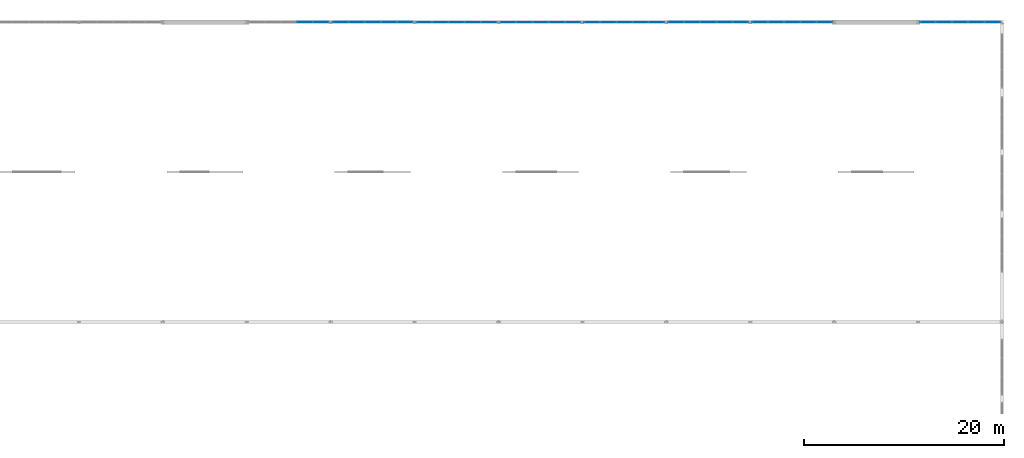
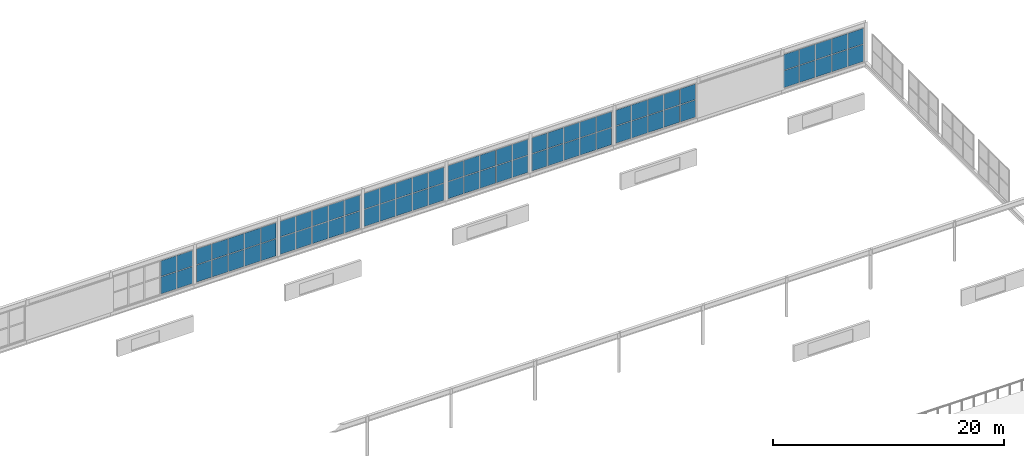
# One storey, part 193 of 218: 74 plates, 8 elements without a shape of their own.
"""IFC4 building model written with IfcOpenShell, lengths in metres."""

import ifcopenshell
import ifcopenshell.guid

model = None  # the IFC model being written
_history = None  # IfcOwnerHistory: only IFC2X3 demands one
_inside = {}  # id of a spatial element -> (the spatial element, [elements in it])
_under = {}  # id of a project, library or spatial element -> (it, [spatial elements below it])
_declared = {}  # id of a project -> (the project, [libraries it declares])
_typed = {}  # id of a type object -> (the type object, [elements of that type])
_made_of = {}  # id of a material, layer set ... -> (it, [elements and type objects made of it])


def new_model(schema):
    """Start an empty IFC model of exactly this schema.

    Asked for "IFC4X3", IfcOpenShell would pick the latest addendum, in which some entities
    have other attributes; the version numbers below select the first issue.
    IFC2X3 requires an IfcOwnerHistory on every rooted entity: one is made here for all.
    """
    global model, _history
    if schema == "IFC4X3":
        model = ifcopenshell.file(schema_version=(4, 3, 0, 0))
    else:
        model = ifcopenshell.file(schema=schema)
    _inside.clear()
    _under.clear()
    _declared.clear()
    _typed.clear()
    _made_of.clear()
    _history = None
    if model.schema == "IFC2X3":
        org = make("IfcOrganization", Name="unknown")
        user = make(
            "IfcPersonAndOrganization",
            ThePerson=make("IfcPerson", FamilyName="unknown"),
            TheOrganization=org,
        )
        app = make(
            "IfcApplication",
            ApplicationDeveloper=org,
            Version="unknown",
            ApplicationFullName="unknown",
            ApplicationIdentifier="unknown",
        )
        _history = make(
            "IfcOwnerHistory",
            OwningUser=user,
            OwningApplication=app,
            ChangeAction="ADDED",
            CreationDate=0,
        )
    return model


def make(cls, **values):
    """One entity of the class cls with the attributes given. An attribute that is None is left unset."""
    return model.create_entity(
        cls, **{name: value for name, value in values.items() if value is not None}
    )


def rooted(cls, **values):
    """An entity with a GlobalId (a new one), such as an element, a storey or a relation."""
    return make(cls, GlobalId=ifcopenshell.guid.new(), OwnerHistory=_history, **values)


def si_unit(unit_type, name, prefix=None):
    """IfcSIUnit, for example si_unit("LENGTHUNIT", "METRE", prefix="MILLI")."""
    return make("IfcSIUnit", UnitType=unit_type, Prefix=prefix, Name=name)


def assignment(units):
    """IfcUnitAssignment: the units of a project."""
    return None if units is None else make("IfcUnitAssignment", Units=units)


def point(xyz):
    """IfcCartesianPoint."""
    return None if xyz is None else make("IfcCartesianPoint", Coordinates=xyz)


def direction(xyz):
    """IfcDirection."""
    return None if xyz is None else make("IfcDirection", DirectionRatios=xyz)


def frame(location, z_axis=None, x_axis=None):
    """IfcAxis2Placement3D, a coordinate frame: its origin and axes. An axis left out is left unset."""
    return make(
        "IfcAxis2Placement3D",
        Location=point(location),
        Axis=direction(z_axis),
        RefDirection=direction(x_axis),
    )


def frame_2d(location, x_axis=None):
    """IfcAxis2Placement2D, a coordinate frame in the plane: its origin and x axis."""
    return make(
        "IfcAxis2Placement2D", Location=point(location), RefDirection=direction(x_axis)
    )


def origin():
    """The frame at (0, 0, 0) with its axes left unset."""
    return frame((0.0, 0.0, 0.0))


def origin_2d():
    """The frame at (0, 0) in the plane with its x axis left unset."""
    return frame_2d((0.0, 0.0))


def place(relative_to, where):
    """IfcLocalPlacement: puts the frame where relative to a parent placement (None: the world)."""
    return make(
        "IfcLocalPlacement", PlacementRelTo=relative_to, RelativePlacement=where
    )


def context(
    kind, dimensions, precision=None, world=None, true_north=None, identifier=None
):
    """IfcGeometricRepresentationContext, for example the 3D "Model" context."""
    return make(
        "IfcGeometricRepresentationContext",
        ContextIdentifier=identifier,
        ContextType=kind,
        CoordinateSpaceDimension=dimensions,
        Precision=precision,
        WorldCoordinateSystem=world,
        TrueNorth=true_north,
    )


def subcontext(parent, identifier, kind, view, scale=None):
    """IfcGeometricRepresentationSubContext, for example "Body" below "Model"."""
    return make(
        "IfcGeometricRepresentationSubContext",
        ContextIdentifier=identifier,
        ContextType=kind,
        ParentContext=parent,
        TargetScale=scale,
        TargetView=view,
    )


def project(units=None, contexts=None):
    """IfcProject with its units and contexts."""
    return rooted(
        "IfcProject",
        Name="project",
        RepresentationContexts=contexts,
        UnitsInContext=assignment(units),
    )


def spatial(cls, under=None, at=None, **own):
    """A site, building, storey or space (cls), placed at a placement, below another one or the project."""
    s = rooted(cls, ObjectPlacement=at, **own)
    if under is not None:
        _under.setdefault(under.id(), (under, []))[1].append(s)
    return s


def profile(cls, at=None, kind="AREA", **sizes):
    """A parametric profile (cls). Its sizes go by their IFC names, for example OverallWidth=200.0."""
    return make(cls, ProfileType=kind, Position=at, **sizes)


def rectangle(**sizes):
    """IfcRectangleProfileDef."""
    return profile("IfcRectangleProfileDef", **sizes)


def extrude(swept, where, along, depth):
    """IfcExtrudedAreaSolid: the profile swept, set in the frame where, extruded along a direction by depth."""
    return make(
        "IfcExtrudedAreaSolid",
        SweptArea=swept,
        Position=where,
        ExtrudedDirection=direction(along),
        Depth=depth,
    )


def shape(context_of_items, identifier, shape_type, items):
    """IfcShapeRepresentation: the items that make up one representation, for example the "Body"."""
    return make(
        "IfcShapeRepresentation",
        ContextOfItems=context_of_items,
        RepresentationIdentifier=identifier,
        RepresentationType=shape_type,
        Items=items,
    )


def material(Name=None, Category=None):
    """IfcMaterial."""
    return make("IfcMaterial", Name=Name, Category=Category)


def layer(
    of_material, thickness, ventilated=None, Name=None, Category=None, Priority=None
):
    """IfcMaterialLayer: one layer of a wall or slab, of a material (None: an air gap)."""
    return make(
        "IfcMaterialLayer",
        Material=of_material,
        LayerThickness=thickness,
        IsVentilated=ventilated,
        Name=Name,
        Category=Category,
        Priority=Priority,
    )


def layer_set(layers, Name=None):
    """IfcMaterialLayerSet."""
    return make("IfcMaterialLayerSet", MaterialLayers=layers, LayerSetName=Name)


def made_of(thing, what):
    """Note that an element or type object is made of a material, layer set ...; save() writes the relation."""
    if what is not None:
        _made_of.setdefault(what.id(), (what, []))[1].append(thing)
    return thing


def type_object(cls, material=None, **own):
    """A type object (cls), such as IfcWallType, which elements share."""
    return made_of(rooted(cls, **own), material)


def element(
    cls,
    number,
    at=None,
    inside=None,
    cuts=None,
    type_object=None,
    material=None,
    context=None,
    identifier="Body",
    shape_type=None,
    held_by="IfcProductDefinitionShape",
    body=None,
    shapes=None,
    **own,
):
    """One element of the class cls, such as IfcWall. Its Tag is "e" and its number.

    at: its placement. inside: the storey or other place that contains it. cuts: it is an
    opening in that element (IfcRelVoidsElement). A single representation is given by context,
    identifier, shape_type and body (its items); several are given by shapes. held_by: the class
    of the entity that holds the representations. save() writes the other relations.
    """
    e = rooted(cls, Tag="e%d" % number, ObjectPlacement=at, **own)
    if body is not None:
        shapes = [shape(context, identifier, shape_type, body)]
    if shapes is not None:
        e.Representation = make(held_by, Representations=shapes)
    if inside is not None:
        _inside.setdefault(inside.id(), (inside, []))[1].append(e)
    if cuts is not None:
        rooted(
            "IfcRelVoidsElement", RelatingBuildingElement=cuts, RelatedOpeningElement=e
        )
    if type_object is not None:
        _typed.setdefault(type_object.id(), (type_object, []))[1].append(e)
    return made_of(e, material)


def aggregate(whole, parts):
    """IfcRelAggregates: a whole, such as a stair, and the parts it consists of."""
    return rooted("IfcRelAggregates", RelatingObject=whole, RelatedObjects=parts)


def save(model, path):
    """Write the relations noted so far, then the file.

    IfcRelAggregates (storeys below a building ...), IfcRelContainedInSpatialStructure (elements
    in a storey), IfcRelDefinesByType, IfcRelAssociatesMaterial and IfcRelDeclares: one each for
    every whole, place, type object, material and project.
    """
    for whole, parts in _under.values():
        aggregate(whole, parts)
    for where, things in _inside.values():
        rooted(
            "IfcRelContainedInSpatialStructure",
            RelatedElements=things,
            RelatingStructure=where,
        )
    for kind, things in _typed.values():
        rooted("IfcRelDefinesByType", RelatedObjects=things, RelatingType=kind)
    for what, things in _made_of.values():
        rooted("IfcRelAssociatesMaterial", RelatedObjects=things, RelatingMaterial=what)
    for by, libraries in _declared.values():
        rooted("IfcRelDeclares", RelatingContext=by, RelatedDefinitions=libraries)
    model.write(path)


model = new_model("IFC4")

# Units and contexts
model_context = context("Model", 3, precision=1e-05, world=origin(), true_north=direction((0.0, 1.0)))
body_context = subcontext(model_context, "Body", "Model", "MODEL_VIEW")
ifc_project = project(units=[si_unit("LENGTHUNIT", "METRE"), si_unit("AREAUNIT", "SQUARE_METRE"), si_unit("VOLUMEUNIT", "CUBIC_METRE"), si_unit("PLANEANGLEUNIT", "RADIAN"), si_unit("MASSUNIT", "GRAM", prefix="KILO")], contexts=[model_context])

# Site, building, storey
site_placement = place(None, origin())
site = spatial("IfcSite", under=ifc_project, at=site_placement, CompositionType="ELEMENT")
building_placement = place(site_placement, origin())
building = spatial("IfcBuilding", under=site, at=building_placement, Name="Kazenagashi Tramway Depot", CompositionType="ELEMENT")
storey_placement = place(building_placement, frame((0.0, 0.0, 6.0)))
storey = spatial("IfcBuildingStorey", under=building, at=storey_placement, Name="L02", CompositionType="ELEMENT", Elevation=6.0)

# Curtain wall, plates
ifc_material_1 = material(Name="Anodised Aluminium and Low-E Glazing", Category="aluminium")
curtain_wall_type = type_object("IfcCurtainWallType", Name="CW-15", PredefinedType="USERDEFINED", material=ifc_material_1)
curtain_wall_1_placement = place(storey_placement, origin())
curtain_wall_1 = element("IfcCurtainWall", 1, at=curtain_wall_1_placement, inside=storey, type_object=curtain_wall_type, Name="Industrial Glazed Screen CW-15 CW-0081", ObjectType="GLAZED SCREEN", PredefinedType="USERDEFINED")
ifc_material_2 = material(Name="Tempered Laminated Low-E Glass", Category="glass")
ifc_layer_1 = layer(ifc_material_2, 0.016)
ifc_layer_set_1 = layer_set([ifc_layer_1], Name="Tempered Laminated Low-E Glass")
plate_type_1 = type_object("IfcPlateType", Name="GL-01", PredefinedType="CURTAIN_PANEL", material=ifc_layer_set_1)
plate_1_placement = place(storey_placement, frame((138.167, 130.0, 0.04), z_axis=(0.0, 0.0, 1.0), x_axis=(1.0, 0.0, 0.0)))
plate_1 = element("IfcPlate", 2, at=plate_1_placement, type_object=plate_type_1, Name="CW-15 panel 1.1", PredefinedType="CURTAIN_PANEL", context=body_context, shape_type="SweptSolid", body=[
    extrude(rectangle(XDim=1.534, YDim=0.016, at=origin_2d()), origin(), (0.0, 0.0, 1.0), 1.799),
])
plate_2_placement = place(storey_placement, frame((138.167, 130.0, 1.899), z_axis=(0.0, 0.0, 1.0), x_axis=(1.0, 0.0, 0.0)))
plate_2 = element("IfcPlate", 3, at=plate_2_placement, type_object=plate_type_1, Name="CW-15 panel 1.2", PredefinedType="CURTAIN_PANEL", context=body_context, shape_type="SweptSolid", body=[
    extrude(rectangle(XDim=1.534, YDim=0.016, at=origin_2d()), origin(), (0.0, 0.0, 1.0), 1.653),
])
plate_3_placement = place(storey_placement, frame((139.776, 130.0, 0.04), z_axis=(0.0, 0.0, 1.0), x_axis=(1.0, 0.0, 0.0)))
plate_3 = element("IfcPlate", 4, at=plate_3_placement, type_object=plate_type_1, Name="CW-15 panel 2.1", PredefinedType="CURTAIN_PANEL", context=body_context, shape_type="SweptSolid", body=[
    extrude(rectangle(XDim=1.564, YDim=0.016, at=origin_2d()), origin(), (0.0, 0.0, 1.0), 1.799),
])
plate_4_placement = place(storey_placement, frame((139.776, 130.0, 1.899), z_axis=(0.0, 0.0, 1.0), x_axis=(1.0, 0.0, 0.0)))
plate_4 = element("IfcPlate", 5, at=plate_4_placement, type_object=plate_type_1, Name="CW-15 panel 2.2", PredefinedType="CURTAIN_PANEL", context=body_context, shape_type="SweptSolid", body=[
    extrude(rectangle(XDim=1.564, YDim=0.016, at=origin_2d()), origin(), (0.0, 0.0, 1.0), 1.653),
])
plate_5_placement = place(storey_placement, frame((141.4, 130.0, 0.04), z_axis=(0.0, 0.0, 1.0), x_axis=(1.0, 0.0, 0.0)))
plate_5 = element("IfcPlate", 6, at=plate_5_placement, type_object=plate_type_1, Name="CW-15 panel 3.1", PredefinedType="CURTAIN_PANEL", context=body_context, shape_type="SweptSolid", body=[
    extrude(rectangle(XDim=1.564, YDim=0.016, at=origin_2d()), origin(), (0.0, 0.0, 1.0), 1.799),
])
plate_6_placement = place(storey_placement, frame((141.4, 130.0, 1.899), z_axis=(0.0, 0.0, 1.0), x_axis=(1.0, 0.0, 0.0)))
plate_6 = element("IfcPlate", 7, at=plate_6_placement, type_object=plate_type_1, Name="CW-15 panel 3.2", PredefinedType="CURTAIN_PANEL", context=body_context, shape_type="SweptSolid", body=[
    extrude(rectangle(XDim=1.564, YDim=0.016, at=origin_2d()), origin(), (0.0, 0.0, 1.0), 1.653),
])
plate_7_placement = place(storey_placement, frame((143.024, 130.0, 0.04), z_axis=(0.0, 0.0, 1.0), x_axis=(1.0, 0.0, 0.0)))
plate_7 = element("IfcPlate", 8, at=plate_7_placement, type_object=plate_type_1, Name="CW-15 panel 4.1", PredefinedType="CURTAIN_PANEL", context=body_context, shape_type="SweptSolid", body=[
    extrude(rectangle(XDim=1.564, YDim=0.016, at=origin_2d()), origin(), (0.0, 0.0, 1.0), 1.799),
])
plate_8_placement = place(storey_placement, frame((143.024, 130.0, 1.899), z_axis=(0.0, 0.0, 1.0), x_axis=(1.0, 0.0, 0.0)))
plate_8 = element("IfcPlate", 9, at=plate_8_placement, type_object=plate_type_1, Name="CW-15 panel 4.2", PredefinedType="CURTAIN_PANEL", context=body_context, shape_type="SweptSolid", body=[
    extrude(rectangle(XDim=1.564, YDim=0.016, at=origin_2d()), origin(), (0.0, 0.0, 1.0), 1.653),
])
plate_9_placement = place(storey_placement, frame((144.633, 130.0, 0.04), z_axis=(0.0, 0.0, 1.0), x_axis=(1.0, 0.0, 0.0)))
plate_9 = element("IfcPlate", 10, at=plate_9_placement, type_object=plate_type_1, Name="CW-15 panel 5.1", PredefinedType="CURTAIN_PANEL", context=body_context, shape_type="SweptSolid", body=[
    extrude(rectangle(XDim=1.534, YDim=0.016, at=origin_2d()), origin(), (0.0, 0.0, 1.0), 1.799),
])
plate_10_placement = place(storey_placement, frame((144.633, 130.0, 1.899), z_axis=(0.0, 0.0, 1.0), x_axis=(1.0, 0.0, 0.0)))
plate_10 = element("IfcPlate", 11, at=plate_10_placement, type_object=plate_type_1, Name="CW-15 panel 5.2", PredefinedType="CURTAIN_PANEL", context=body_context, shape_type="SweptSolid", body=[
    extrude(rectangle(XDim=1.534, YDim=0.016, at=origin_2d()), origin(), (0.0, 0.0, 1.0), 1.653),
])
aggregate(curtain_wall_1, [plate_1, plate_2, plate_3, plate_4, plate_5, plate_6, plate_7, plate_8, plate_9, plate_10])

curtain_wall_2_placement = place(storey_placement, origin())
curtain_wall_2 = element("IfcCurtainWall", 12, at=curtain_wall_2_placement, inside=storey, type_object=curtain_wall_type, Name="Industrial Glazed Screen CW-15 CW-0084", ObjectType="GLAZED SCREEN", PredefinedType="USERDEFINED")
ifc_layer_2 = layer(ifc_material_2, 0.022)
ifc_layer_set_2 = layer_set([ifc_layer_2], Name="Tempered Laminated Low-E Glass")
plate_type_2 = type_object("IfcPlateType", Name="GL-04", PredefinedType="CURTAIN_PANEL", material=ifc_layer_set_2)
plate_11_placement = place(storey_placement, frame((146.567, 130.0, 0.04), z_axis=(0.0, 0.0, 1.0), x_axis=(1.0, 0.0, 0.0)))
plate_11 = element("IfcPlate", 13, at=plate_11_placement, type_object=plate_type_2, Name="CW-15 panel 1.1", PredefinedType="CURTAIN_PANEL", context=body_context, shape_type="SweptSolid", body=[
    extrude(rectangle(XDim=1.534, YDim=0.022, at=origin_2d()), origin(), (0.0, 0.0, 1.0), 1.799),
])
plate_12_placement = place(storey_placement, frame((146.567, 130.0, 1.899), z_axis=(0.0, 0.0, 1.0), x_axis=(1.0, 0.0, 0.0)))
plate_12 = element("IfcPlate", 14, at=plate_12_placement, type_object=plate_type_2, Name="CW-15 panel 1.2", PredefinedType="CURTAIN_PANEL", context=body_context, shape_type="SweptSolid", body=[
    extrude(rectangle(XDim=1.534, YDim=0.022, at=origin_2d()), origin(), (0.0, 0.0, 1.0), 1.653),
])
plate_13_placement = place(storey_placement, frame((148.176, 130.0, 0.04), z_axis=(0.0, 0.0, 1.0), x_axis=(1.0, 0.0, 0.0)))
plate_13 = element("IfcPlate", 15, at=plate_13_placement, type_object=plate_type_2, Name="CW-15 panel 2.1", PredefinedType="CURTAIN_PANEL", context=body_context, shape_type="SweptSolid", body=[
    extrude(rectangle(XDim=1.564, YDim=0.022, at=origin_2d()), origin(), (0.0, 0.0, 1.0), 1.799),
])
plate_14_placement = place(storey_placement, frame((148.176, 130.0, 1.899), z_axis=(0.0, 0.0, 1.0), x_axis=(1.0, 0.0, 0.0)))
plate_14 = element("IfcPlate", 16, at=plate_14_placement, type_object=plate_type_2, Name="CW-15 panel 2.2", PredefinedType="CURTAIN_PANEL", context=body_context, shape_type="SweptSolid", body=[
    extrude(rectangle(XDim=1.564, YDim=0.022, at=origin_2d()), origin(), (0.0, 0.0, 1.0), 1.653),
])
plate_15_placement = place(storey_placement, frame((149.8, 130.0, 0.04), z_axis=(0.0, 0.0, 1.0), x_axis=(1.0, 0.0, 0.0)))
plate_15 = element("IfcPlate", 17, at=plate_15_placement, type_object=plate_type_2, Name="CW-15 panel 3.1", PredefinedType="CURTAIN_PANEL", context=body_context, shape_type="SweptSolid", body=[
    extrude(rectangle(XDim=1.564, YDim=0.022, at=origin_2d()), origin(), (0.0, 0.0, 1.0), 1.799),
])
plate_16_placement = place(storey_placement, frame((149.8, 130.0, 1.899), z_axis=(0.0, 0.0, 1.0), x_axis=(1.0, 0.0, 0.0)))
plate_16 = element("IfcPlate", 18, at=plate_16_placement, type_object=plate_type_2, Name="CW-15 panel 3.2", PredefinedType="CURTAIN_PANEL", context=body_context, shape_type="SweptSolid", body=[
    extrude(rectangle(XDim=1.564, YDim=0.022, at=origin_2d()), origin(), (0.0, 0.0, 1.0), 1.653),
])
plate_17_placement = place(storey_placement, frame((151.424, 130.0, 0.04), z_axis=(0.0, 0.0, 1.0), x_axis=(1.0, 0.0, 0.0)))
plate_17 = element("IfcPlate", 19, at=plate_17_placement, type_object=plate_type_2, Name="CW-15 panel 4.1", PredefinedType="CURTAIN_PANEL", context=body_context, shape_type="SweptSolid", body=[
    extrude(rectangle(XDim=1.564, YDim=0.022, at=origin_2d()), origin(), (0.0, 0.0, 1.0), 1.799),
])
plate_18_placement = place(storey_placement, frame((151.424, 130.0, 1.899), z_axis=(0.0, 0.0, 1.0), x_axis=(1.0, 0.0, 0.0)))
plate_18 = element("IfcPlate", 20, at=plate_18_placement, type_object=plate_type_2, Name="CW-15 panel 4.2", PredefinedType="CURTAIN_PANEL", context=body_context, shape_type="SweptSolid", body=[
    extrude(rectangle(XDim=1.564, YDim=0.022, at=origin_2d()), origin(), (0.0, 0.0, 1.0), 1.653),
])
plate_19_placement = place(storey_placement, frame((153.033, 130.0, 0.04), z_axis=(0.0, 0.0, 1.0), x_axis=(1.0, 0.0, 0.0)))
plate_19 = element("IfcPlate", 21, at=plate_19_placement, type_object=plate_type_2, Name="CW-15 panel 5.1", PredefinedType="CURTAIN_PANEL", context=body_context, shape_type="SweptSolid", body=[
    extrude(rectangle(XDim=1.534, YDim=0.022, at=origin_2d()), origin(), (0.0, 0.0, 1.0), 1.799),
])
plate_20_placement = place(storey_placement, frame((153.033, 130.0, 1.899), z_axis=(0.0, 0.0, 1.0), x_axis=(1.0, 0.0, 0.0)))
plate_20 = element("IfcPlate", 22, at=plate_20_placement, type_object=plate_type_2, Name="CW-15 panel 5.2", PredefinedType="CURTAIN_PANEL", context=body_context, shape_type="SweptSolid", body=[
    extrude(rectangle(XDim=1.534, YDim=0.022, at=origin_2d()), origin(), (0.0, 0.0, 1.0), 1.653),
])
aggregate(curtain_wall_2, [plate_11, plate_12, plate_13, plate_14, plate_15, plate_16, plate_17, plate_18, plate_19, plate_20])

curtain_wall_3_placement = place(storey_placement, origin())
curtain_wall_3 = element("IfcCurtainWall", 23, at=curtain_wall_3_placement, inside=storey, type_object=curtain_wall_type, Name="Industrial Glazed Screen CW-15 CW-0087", ObjectType="GLAZED SCREEN", PredefinedType="USERDEFINED")
ifc_layer_3 = layer(ifc_material_2, 0.028)
ifc_layer_set_3 = layer_set([ifc_layer_3], Name="Tempered Laminated Low-E Glass")
plate_type_3 = type_object("IfcPlateType", Name="GL-07", PredefinedType="CURTAIN_PANEL", material=ifc_layer_set_3)
plate_21_placement = place(storey_placement, frame((154.967, 130.0, 0.04), z_axis=(0.0, 0.0, 1.0), x_axis=(1.0, 0.0, 0.0)))
plate_21 = element("IfcPlate", 24, at=plate_21_placement, type_object=plate_type_3, Name="CW-15 panel 1.1", PredefinedType="CURTAIN_PANEL", context=body_context, shape_type="SweptSolid", body=[
    extrude(rectangle(XDim=1.534, YDim=0.028, at=origin_2d()), origin(), (0.0, 0.0, 1.0), 1.799),
])
plate_22_placement = place(storey_placement, frame((154.967, 130.0, 1.899), z_axis=(0.0, 0.0, 1.0), x_axis=(1.0, 0.0, 0.0)))
plate_22 = element("IfcPlate", 25, at=plate_22_placement, type_object=plate_type_3, Name="CW-15 panel 1.2", PredefinedType="CURTAIN_PANEL", context=body_context, shape_type="SweptSolid", body=[
    extrude(rectangle(XDim=1.534, YDim=0.028, at=origin_2d()), origin(), (0.0, 0.0, 1.0), 1.653),
])
plate_23_placement = place(storey_placement, frame((156.576, 130.0, 0.04), z_axis=(0.0, 0.0, 1.0), x_axis=(1.0, 0.0, 0.0)))
plate_23 = element("IfcPlate", 26, at=plate_23_placement, type_object=plate_type_3, Name="CW-15 panel 2.1", PredefinedType="CURTAIN_PANEL", context=body_context, shape_type="SweptSolid", body=[
    extrude(rectangle(XDim=1.564, YDim=0.028, at=origin_2d()), origin(), (0.0, 0.0, 1.0), 1.799),
])
plate_24_placement = place(storey_placement, frame((156.576, 130.0, 1.899), z_axis=(0.0, 0.0, 1.0), x_axis=(1.0, 0.0, 0.0)))
plate_24 = element("IfcPlate", 27, at=plate_24_placement, type_object=plate_type_3, Name="CW-15 panel 2.2", PredefinedType="CURTAIN_PANEL", context=body_context, shape_type="SweptSolid", body=[
    extrude(rectangle(XDim=1.564, YDim=0.028, at=origin_2d()), origin(), (0.0, 0.0, 1.0), 1.653),
])
plate_25_placement = place(storey_placement, frame((158.2, 130.0, 0.04), z_axis=(0.0, 0.0, 1.0), x_axis=(1.0, 0.0, 0.0)))
plate_25 = element("IfcPlate", 28, at=plate_25_placement, type_object=plate_type_3, Name="CW-15 panel 3.1", PredefinedType="CURTAIN_PANEL", context=body_context, shape_type="SweptSolid", body=[
    extrude(rectangle(XDim=1.564, YDim=0.028, at=origin_2d()), origin(), (0.0, 0.0, 1.0), 1.799),
])
plate_26_placement = place(storey_placement, frame((158.2, 130.0, 1.899), z_axis=(0.0, 0.0, 1.0), x_axis=(1.0, 0.0, 0.0)))
plate_26 = element("IfcPlate", 29, at=plate_26_placement, type_object=plate_type_3, Name="CW-15 panel 3.2", PredefinedType="CURTAIN_PANEL", context=body_context, shape_type="SweptSolid", body=[
    extrude(rectangle(XDim=1.564, YDim=0.028, at=origin_2d()), origin(), (0.0, 0.0, 1.0), 1.653),
])
plate_27_placement = place(storey_placement, frame((159.824, 130.0, 0.04), z_axis=(0.0, 0.0, 1.0), x_axis=(1.0, 0.0, 0.0)))
plate_27 = element("IfcPlate", 30, at=plate_27_placement, type_object=plate_type_3, Name="CW-15 panel 4.1", PredefinedType="CURTAIN_PANEL", context=body_context, shape_type="SweptSolid", body=[
    extrude(rectangle(XDim=1.564, YDim=0.028, at=origin_2d()), origin(), (0.0, 0.0, 1.0), 1.799),
])
plate_28_placement = place(storey_placement, frame((159.824, 130.0, 1.899), z_axis=(0.0, 0.0, 1.0), x_axis=(1.0, 0.0, 0.0)))
plate_28 = element("IfcPlate", 31, at=plate_28_placement, type_object=plate_type_3, Name="CW-15 panel 4.2", PredefinedType="CURTAIN_PANEL", context=body_context, shape_type="SweptSolid", body=[
    extrude(rectangle(XDim=1.564, YDim=0.028, at=origin_2d()), origin(), (0.0, 0.0, 1.0), 1.653),
])
plate_29_placement = place(storey_placement, frame((161.433, 130.0, 0.04), z_axis=(0.0, 0.0, 1.0), x_axis=(1.0, 0.0, 0.0)))
plate_29 = element("IfcPlate", 32, at=plate_29_placement, type_object=plate_type_3, Name="CW-15 panel 5.1", PredefinedType="CURTAIN_PANEL", context=body_context, shape_type="SweptSolid", body=[
    extrude(rectangle(XDim=1.534, YDim=0.028, at=origin_2d()), origin(), (0.0, 0.0, 1.0), 1.799),
])
plate_30_placement = place(storey_placement, frame((161.433, 130.0, 1.899), z_axis=(0.0, 0.0, 1.0), x_axis=(1.0, 0.0, 0.0)))
plate_30 = element("IfcPlate", 33, at=plate_30_placement, type_object=plate_type_3, Name="CW-15 panel 5.2", PredefinedType="CURTAIN_PANEL", context=body_context, shape_type="SweptSolid", body=[
    extrude(rectangle(XDim=1.534, YDim=0.028, at=origin_2d()), origin(), (0.0, 0.0, 1.0), 1.653),
])
aggregate(curtain_wall_3, [plate_21, plate_22, plate_23, plate_24, plate_25, plate_26, plate_27, plate_28, plate_29, plate_30])

curtain_wall_4_placement = place(storey_placement, origin())
curtain_wall_4 = element("IfcCurtainWall", 34, at=curtain_wall_4_placement, inside=storey, type_object=curtain_wall_type, Name="Industrial Glazed Screen CW-15 CW-0090", ObjectType="GLAZED SCREEN", PredefinedType="USERDEFINED")
ifc_layer_4 = layer(ifc_material_2, 0.034)
ifc_layer_set_4 = layer_set([ifc_layer_4], Name="Tempered Laminated Low-E Glass")
plate_type_4 = type_object("IfcPlateType", Name="GL-10", PredefinedType="CURTAIN_PANEL", material=ifc_layer_set_4)
plate_31_placement = place(storey_placement, frame((163.367, 130.0, 0.04), z_axis=(0.0, 0.0, 1.0), x_axis=(1.0, 0.0, 0.0)))
plate_31 = element("IfcPlate", 35, at=plate_31_placement, type_object=plate_type_4, Name="CW-15 panel 1.1", PredefinedType="CURTAIN_PANEL", context=body_context, shape_type="SweptSolid", body=[
    extrude(rectangle(XDim=1.534, YDim=0.034, at=origin_2d()), origin(), (0.0, 0.0, 1.0), 1.799),
])
plate_32_placement = place(storey_placement, frame((163.367, 130.0, 1.899), z_axis=(0.0, 0.0, 1.0), x_axis=(1.0, 0.0, 0.0)))
plate_32 = element("IfcPlate", 36, at=plate_32_placement, type_object=plate_type_4, Name="CW-15 panel 1.2", PredefinedType="CURTAIN_PANEL", context=body_context, shape_type="SweptSolid", body=[
    extrude(rectangle(XDim=1.534, YDim=0.034, at=origin_2d()), origin(), (0.0, 0.0, 1.0), 1.653),
])
plate_33_placement = place(storey_placement, frame((164.976, 130.0, 0.04), z_axis=(0.0, 0.0, 1.0), x_axis=(1.0, 0.0, 0.0)))
plate_33 = element("IfcPlate", 37, at=plate_33_placement, type_object=plate_type_4, Name="CW-15 panel 2.1", PredefinedType="CURTAIN_PANEL", context=body_context, shape_type="SweptSolid", body=[
    extrude(rectangle(XDim=1.564, YDim=0.034, at=origin_2d()), origin(), (0.0, 0.0, 1.0), 1.799),
])
plate_34_placement = place(storey_placement, frame((164.976, 130.0, 1.899), z_axis=(0.0, 0.0, 1.0), x_axis=(1.0, 0.0, 0.0)))
plate_34 = element("IfcPlate", 38, at=plate_34_placement, type_object=plate_type_4, Name="CW-15 panel 2.2", PredefinedType="CURTAIN_PANEL", context=body_context, shape_type="SweptSolid", body=[
    extrude(rectangle(XDim=1.564, YDim=0.034, at=origin_2d()), origin(), (0.0, 0.0, 1.0), 1.653),
])
plate_35_placement = place(storey_placement, frame((166.6, 130.0, 0.04), z_axis=(0.0, 0.0, 1.0), x_axis=(1.0, 0.0, 0.0)))
plate_35 = element("IfcPlate", 39, at=plate_35_placement, type_object=plate_type_4, Name="CW-15 panel 3.1", PredefinedType="CURTAIN_PANEL", context=body_context, shape_type="SweptSolid", body=[
    extrude(rectangle(XDim=1.564, YDim=0.034, at=origin_2d()), origin(), (0.0, 0.0, 1.0), 1.799),
])
plate_36_placement = place(storey_placement, frame((166.6, 130.0, 1.899), z_axis=(0.0, 0.0, 1.0), x_axis=(1.0, 0.0, 0.0)))
plate_36 = element("IfcPlate", 40, at=plate_36_placement, type_object=plate_type_4, Name="CW-15 panel 3.2", PredefinedType="CURTAIN_PANEL", context=body_context, shape_type="SweptSolid", body=[
    extrude(rectangle(XDim=1.564, YDim=0.034, at=origin_2d()), origin(), (0.0, 0.0, 1.0), 1.653),
])
plate_37_placement = place(storey_placement, frame((168.224, 130.0, 0.04), z_axis=(0.0, 0.0, 1.0), x_axis=(1.0, 0.0, 0.0)))
plate_37 = element("IfcPlate", 41, at=plate_37_placement, type_object=plate_type_4, Name="CW-15 panel 4.1", PredefinedType="CURTAIN_PANEL", context=body_context, shape_type="SweptSolid", body=[
    extrude(rectangle(XDim=1.564, YDim=0.034, at=origin_2d()), origin(), (0.0, 0.0, 1.0), 1.799),
])
plate_38_placement = place(storey_placement, frame((168.224, 130.0, 1.899), z_axis=(0.0, 0.0, 1.0), x_axis=(1.0, 0.0, 0.0)))
plate_38 = element("IfcPlate", 42, at=plate_38_placement, type_object=plate_type_4, Name="CW-15 panel 4.2", PredefinedType="CURTAIN_PANEL", context=body_context, shape_type="SweptSolid", body=[
    extrude(rectangle(XDim=1.564, YDim=0.034, at=origin_2d()), origin(), (0.0, 0.0, 1.0), 1.653),
])
plate_39_placement = place(storey_placement, frame((169.833, 130.0, 0.04), z_axis=(0.0, 0.0, 1.0), x_axis=(1.0, 0.0, 0.0)))
plate_39 = element("IfcPlate", 43, at=plate_39_placement, type_object=plate_type_4, Name="CW-15 panel 5.1", PredefinedType="CURTAIN_PANEL", context=body_context, shape_type="SweptSolid", body=[
    extrude(rectangle(XDim=1.534, YDim=0.034, at=origin_2d()), origin(), (0.0, 0.0, 1.0), 1.799),
])
plate_40_placement = place(storey_placement, frame((169.833, 130.0, 1.899), z_axis=(0.0, 0.0, 1.0), x_axis=(1.0, 0.0, 0.0)))
plate_40 = element("IfcPlate", 44, at=plate_40_placement, type_object=plate_type_4, Name="CW-15 panel 5.2", PredefinedType="CURTAIN_PANEL", context=body_context, shape_type="SweptSolid", body=[
    extrude(rectangle(XDim=1.534, YDim=0.034, at=origin_2d()), origin(), (0.0, 0.0, 1.0), 1.653),
])
aggregate(curtain_wall_4, [plate_31, plate_32, plate_33, plate_34, plate_35, plate_36, plate_37, plate_38, plate_39, plate_40])

curtain_wall_5_placement = place(storey_placement, origin())
curtain_wall_5 = element("IfcCurtainWall", 45, at=curtain_wall_5_placement, inside=storey, type_object=curtain_wall_type, Name="Industrial Glazed Screen CW-15 CW-0075", ObjectType="GLAZED SCREEN", PredefinedType="USERDEFINED")
ifc_layer_5 = layer(ifc_material_2, 0.036)
ifc_layer_set_5 = layer_set([ifc_layer_5], Name="Tempered Laminated Low-E Glass")
plate_type_5 = type_object("IfcPlateType", Name="GL-11", PredefinedType="CURTAIN_PANEL", material=ifc_layer_set_5)
plate_41_placement = place(storey_placement, frame((126.224, 130.0, 0.04), z_axis=(0.0, 0.0, 1.0), x_axis=(1.0, 0.0, 0.0)))
plate_41 = element("IfcPlate", 46, at=plate_41_placement, type_object=plate_type_5, Name="CW-15 panel 4.1", PredefinedType="CURTAIN_PANEL", context=body_context, shape_type="SweptSolid", body=[
    extrude(rectangle(XDim=1.564, YDim=0.036, at=origin_2d()), origin(), (0.0, 0.0, 1.0), 1.799),
])
plate_42_placement = place(storey_placement, frame((126.224, 130.0, 1.899), z_axis=(0.0, 0.0, 1.0), x_axis=(1.0, 0.0, 0.0)))
plate_42 = element("IfcPlate", 47, at=plate_42_placement, type_object=plate_type_5, Name="CW-15 panel 4.2", PredefinedType="CURTAIN_PANEL", context=body_context, shape_type="SweptSolid", body=[
    extrude(rectangle(XDim=1.564, YDim=0.036, at=origin_2d()), origin(), (0.0, 0.0, 1.0), 1.653),
])
plate_43_placement = place(storey_placement, frame((127.833, 130.0, 0.04), z_axis=(0.0, 0.0, 1.0), x_axis=(1.0, 0.0, 0.0)))
plate_43 = element("IfcPlate", 48, at=plate_43_placement, type_object=plate_type_5, Name="CW-15 panel 5.1", PredefinedType="CURTAIN_PANEL", context=body_context, shape_type="SweptSolid", body=[
    extrude(rectangle(XDim=1.534, YDim=0.036, at=origin_2d()), origin(), (0.0, 0.0, 1.0), 1.799),
])
plate_44_placement = place(storey_placement, frame((127.833, 130.0, 1.899), z_axis=(0.0, 0.0, 1.0), x_axis=(1.0, 0.0, 0.0)))
plate_44 = element("IfcPlate", 49, at=plate_44_placement, type_object=plate_type_5, Name="CW-15 panel 5.2", PredefinedType="CURTAIN_PANEL", context=body_context, shape_type="SweptSolid", body=[
    extrude(rectangle(XDim=1.534, YDim=0.036, at=origin_2d()), origin(), (0.0, 0.0, 1.0), 1.653),
])
aggregate(curtain_wall_5, [plate_41, plate_42, plate_43, plate_44])

curtain_wall_6_placement = place(storey_placement, origin())
curtain_wall_6 = element("IfcCurtainWall", 50, at=curtain_wall_6_placement, inside=storey, type_object=curtain_wall_type, Name="Industrial Glazed Screen CW-15 CW-0093", ObjectType="GLAZED SCREEN", PredefinedType="USERDEFINED")
ifc_layer_6 = layer(ifc_material_2, 0.04)
ifc_layer_set_6 = layer_set([ifc_layer_6], Name="Tempered Laminated Low-E Glass")
plate_type_6 = type_object("IfcPlateType", Name="GL-13", PredefinedType="CURTAIN_PANEL", material=ifc_layer_set_6)
plate_45_placement = place(storey_placement, frame((171.767, 130.0, 0.04), z_axis=(0.0, 0.0, 1.0), x_axis=(1.0, 0.0, 0.0)))
plate_45 = element("IfcPlate", 51, at=plate_45_placement, type_object=plate_type_6, Name="CW-15 panel 1.1", PredefinedType="CURTAIN_PANEL", context=body_context, shape_type="SweptSolid", body=[
    extrude(rectangle(XDim=1.534, YDim=0.04, at=origin_2d()), origin(), (0.0, 0.0, 1.0), 1.799),
])
plate_46_placement = place(storey_placement, frame((171.767, 130.0, 1.899), z_axis=(0.0, 0.0, 1.0), x_axis=(1.0, 0.0, 0.0)))
plate_46 = element("IfcPlate", 52, at=plate_46_placement, type_object=plate_type_6, Name="CW-15 panel 1.2", PredefinedType="CURTAIN_PANEL", context=body_context, shape_type="SweptSolid", body=[
    extrude(rectangle(XDim=1.534, YDim=0.04, at=origin_2d()), origin(), (0.0, 0.0, 1.0), 1.653),
])
plate_47_placement = place(storey_placement, frame((173.376, 130.0, 0.04), z_axis=(0.0, 0.0, 1.0), x_axis=(1.0, 0.0, 0.0)))
plate_47 = element("IfcPlate", 53, at=plate_47_placement, type_object=plate_type_6, Name="CW-15 panel 2.1", PredefinedType="CURTAIN_PANEL", context=body_context, shape_type="SweptSolid", body=[
    extrude(rectangle(XDim=1.564, YDim=0.04, at=origin_2d()), origin(), (0.0, 0.0, 1.0), 1.799),
])
plate_48_placement = place(storey_placement, frame((173.376, 130.0, 1.899), z_axis=(0.0, 0.0, 1.0), x_axis=(1.0, 0.0, 0.0)))
plate_48 = element("IfcPlate", 54, at=plate_48_placement, type_object=plate_type_6, Name="CW-15 panel 2.2", PredefinedType="CURTAIN_PANEL", context=body_context, shape_type="SweptSolid", body=[
    extrude(rectangle(XDim=1.564, YDim=0.04, at=origin_2d()), origin(), (0.0, 0.0, 1.0), 1.653),
])
plate_49_placement = place(storey_placement, frame((175.0, 130.0, 0.04), z_axis=(0.0, 0.0, 1.0), x_axis=(1.0, 0.0, 0.0)))
plate_49 = element("IfcPlate", 55, at=plate_49_placement, type_object=plate_type_6, Name="CW-15 panel 3.1", PredefinedType="CURTAIN_PANEL", context=body_context, shape_type="SweptSolid", body=[
    extrude(rectangle(XDim=1.564, YDim=0.04, at=origin_2d()), origin(), (0.0, 0.0, 1.0), 1.799),
])
plate_50_placement = place(storey_placement, frame((175.0, 130.0, 1.899), z_axis=(0.0, 0.0, 1.0), x_axis=(1.0, 0.0, 0.0)))
plate_50 = element("IfcPlate", 56, at=plate_50_placement, type_object=plate_type_6, Name="CW-15 panel 3.2", PredefinedType="CURTAIN_PANEL", context=body_context, shape_type="SweptSolid", body=[
    extrude(rectangle(XDim=1.564, YDim=0.04, at=origin_2d()), origin(), (0.0, 0.0, 1.0), 1.653),
])
plate_51_placement = place(storey_placement, frame((176.624, 130.0, 0.04), z_axis=(0.0, 0.0, 1.0), x_axis=(1.0, 0.0, 0.0)))
plate_51 = element("IfcPlate", 57, at=plate_51_placement, type_object=plate_type_6, Name="CW-15 panel 4.1", PredefinedType="CURTAIN_PANEL", context=body_context, shape_type="SweptSolid", body=[
    extrude(rectangle(XDim=1.564, YDim=0.04, at=origin_2d()), origin(), (0.0, 0.0, 1.0), 1.799),
])
plate_52_placement = place(storey_placement, frame((176.624, 130.0, 1.899), z_axis=(0.0, 0.0, 1.0), x_axis=(1.0, 0.0, 0.0)))
plate_52 = element("IfcPlate", 58, at=plate_52_placement, type_object=plate_type_6, Name="CW-15 panel 4.2", PredefinedType="CURTAIN_PANEL", context=body_context, shape_type="SweptSolid", body=[
    extrude(rectangle(XDim=1.564, YDim=0.04, at=origin_2d()), origin(), (0.0, 0.0, 1.0), 1.653),
])
plate_53_placement = place(storey_placement, frame((178.233, 130.0, 0.04), z_axis=(0.0, 0.0, 1.0), x_axis=(1.0, 0.0, 0.0)))
plate_53 = element("IfcPlate", 59, at=plate_53_placement, type_object=plate_type_6, Name="CW-15 panel 5.1", PredefinedType="CURTAIN_PANEL", context=body_context, shape_type="SweptSolid", body=[
    extrude(rectangle(XDim=1.534, YDim=0.04, at=origin_2d()), origin(), (0.0, 0.0, 1.0), 1.799),
])
plate_54_placement = place(storey_placement, frame((178.233, 130.0, 1.899), z_axis=(0.0, 0.0, 1.0), x_axis=(1.0, 0.0, 0.0)))
plate_54 = element("IfcPlate", 60, at=plate_54_placement, type_object=plate_type_6, Name="CW-15 panel 5.2", PredefinedType="CURTAIN_PANEL", context=body_context, shape_type="SweptSolid", body=[
    extrude(rectangle(XDim=1.534, YDim=0.04, at=origin_2d()), origin(), (0.0, 0.0, 1.0), 1.653),
])
aggregate(curtain_wall_6, [plate_45, plate_46, plate_47, plate_48, plate_49, plate_50, plate_51, plate_52, plate_53, plate_54])

curtain_wall_7_placement = place(storey_placement, origin())
curtain_wall_7 = element("IfcCurtainWall", 61, at=curtain_wall_7_placement, inside=storey, type_object=curtain_wall_type, Name="Industrial Glazed Screen CW-15 CW-0078", ObjectType="GLAZED SCREEN", PredefinedType="USERDEFINED")
ifc_layer_7 = layer(ifc_material_2, 0.042)
ifc_layer_set_7 = layer_set([ifc_layer_7], Name="Tempered Laminated Low-E Glass")
plate_type_7 = type_object("IfcPlateType", Name="GL-14", PredefinedType="CURTAIN_PANEL", material=ifc_layer_set_7)
plate_55_placement = place(storey_placement, frame((129.767, 130.0, 0.04), z_axis=(0.0, 0.0, 1.0), x_axis=(1.0, 0.0, 0.0)))
plate_55 = element("IfcPlate", 62, at=plate_55_placement, type_object=plate_type_7, Name="CW-15 panel 1.1", PredefinedType="CURTAIN_PANEL", context=body_context, shape_type="SweptSolid", body=[
    extrude(rectangle(XDim=1.534, YDim=0.042, at=origin_2d()), origin(), (0.0, 0.0, 1.0), 1.799),
])
plate_56_placement = place(storey_placement, frame((129.767, 130.0, 1.899), z_axis=(0.0, 0.0, 1.0), x_axis=(1.0, 0.0, 0.0)))
plate_56 = element("IfcPlate", 63, at=plate_56_placement, type_object=plate_type_7, Name="CW-15 panel 1.2", PredefinedType="CURTAIN_PANEL", context=body_context, shape_type="SweptSolid", body=[
    extrude(rectangle(XDim=1.534, YDim=0.042, at=origin_2d()), origin(), (0.0, 0.0, 1.0), 1.653),
])
plate_57_placement = place(storey_placement, frame((131.376, 130.0, 0.04), z_axis=(0.0, 0.0, 1.0), x_axis=(1.0, 0.0, 0.0)))
plate_57 = element("IfcPlate", 64, at=plate_57_placement, type_object=plate_type_7, Name="CW-15 panel 2.1", PredefinedType="CURTAIN_PANEL", context=body_context, shape_type="SweptSolid", body=[
    extrude(rectangle(XDim=1.564, YDim=0.042, at=origin_2d()), origin(), (0.0, 0.0, 1.0), 1.799),
])
plate_58_placement = place(storey_placement, frame((131.376, 130.0, 1.899), z_axis=(0.0, 0.0, 1.0), x_axis=(1.0, 0.0, 0.0)))
plate_58 = element("IfcPlate", 65, at=plate_58_placement, type_object=plate_type_7, Name="CW-15 panel 2.2", PredefinedType="CURTAIN_PANEL", context=body_context, shape_type="SweptSolid", body=[
    extrude(rectangle(XDim=1.564, YDim=0.042, at=origin_2d()), origin(), (0.0, 0.0, 1.0), 1.653),
])
plate_59_placement = place(storey_placement, frame((133.0, 130.0, 0.04), z_axis=(0.0, 0.0, 1.0), x_axis=(1.0, 0.0, 0.0)))
plate_59 = element("IfcPlate", 66, at=plate_59_placement, type_object=plate_type_7, Name="CW-15 panel 3.1", PredefinedType="CURTAIN_PANEL", context=body_context, shape_type="SweptSolid", body=[
    extrude(rectangle(XDim=1.564, YDim=0.042, at=origin_2d()), origin(), (0.0, 0.0, 1.0), 1.799),
])
plate_60_placement = place(storey_placement, frame((133.0, 130.0, 1.899), z_axis=(0.0, 0.0, 1.0), x_axis=(1.0, 0.0, 0.0)))
plate_60 = element("IfcPlate", 67, at=plate_60_placement, type_object=plate_type_7, Name="CW-15 panel 3.2", PredefinedType="CURTAIN_PANEL", context=body_context, shape_type="SweptSolid", body=[
    extrude(rectangle(XDim=1.564, YDim=0.042, at=origin_2d()), origin(), (0.0, 0.0, 1.0), 1.653),
])
plate_61_placement = place(storey_placement, frame((134.624, 130.0, 0.04), z_axis=(0.0, 0.0, 1.0), x_axis=(1.0, 0.0, 0.0)))
plate_61 = element("IfcPlate", 68, at=plate_61_placement, type_object=plate_type_7, Name="CW-15 panel 4.1", PredefinedType="CURTAIN_PANEL", context=body_context, shape_type="SweptSolid", body=[
    extrude(rectangle(XDim=1.564, YDim=0.042, at=origin_2d()), origin(), (0.0, 0.0, 1.0), 1.799),
])
plate_62_placement = place(storey_placement, frame((134.624, 130.0, 1.899), z_axis=(0.0, 0.0, 1.0), x_axis=(1.0, 0.0, 0.0)))
plate_62 = element("IfcPlate", 69, at=plate_62_placement, type_object=plate_type_7, Name="CW-15 panel 4.2", PredefinedType="CURTAIN_PANEL", context=body_context, shape_type="SweptSolid", body=[
    extrude(rectangle(XDim=1.564, YDim=0.042, at=origin_2d()), origin(), (0.0, 0.0, 1.0), 1.653),
])
plate_63_placement = place(storey_placement, frame((136.233, 130.0, 0.04), z_axis=(0.0, 0.0, 1.0), x_axis=(1.0, 0.0, 0.0)))
plate_63 = element("IfcPlate", 70, at=plate_63_placement, type_object=plate_type_7, Name="CW-15 panel 5.1", PredefinedType="CURTAIN_PANEL", context=body_context, shape_type="SweptSolid", body=[
    extrude(rectangle(XDim=1.534, YDim=0.042, at=origin_2d()), origin(), (0.0, 0.0, 1.0), 1.799),
])
plate_64_placement = place(storey_placement, frame((136.233, 130.0, 1.899), z_axis=(0.0, 0.0, 1.0), x_axis=(1.0, 0.0, 0.0)))
plate_64 = element("IfcPlate", 71, at=plate_64_placement, type_object=plate_type_7, Name="CW-15 panel 5.2", PredefinedType="CURTAIN_PANEL", context=body_context, shape_type="SweptSolid", body=[
    extrude(rectangle(XDim=1.534, YDim=0.042, at=origin_2d()), origin(), (0.0, 0.0, 1.0), 1.653),
])
aggregate(curtain_wall_7, [plate_55, plate_56, plate_57, plate_58, plate_59, plate_60, plate_61, plate_62, plate_63, plate_64])

curtain_wall_8_placement = place(storey_placement, origin())
curtain_wall_8 = element("IfcCurtainWall", 72, at=curtain_wall_8_placement, inside=storey, type_object=curtain_wall_type, Name="Industrial Glazed Screen CW-15 CW-0094", ObjectType="GLAZED SCREEN", PredefinedType="USERDEFINED")
plate_65_placement = place(storey_placement, frame((188.567, 130.0, 0.04), z_axis=(0.0, 0.0, 1.0), x_axis=(1.0, 0.0, 0.0)))
plate_65 = element("IfcPlate", 73, at=plate_65_placement, type_object=plate_type_7, Name="CW-15 panel 1.1", PredefinedType="CURTAIN_PANEL", context=body_context, shape_type="SweptSolid", body=[
    extrude(rectangle(XDim=1.534, YDim=0.042, at=origin_2d()), origin(), (0.0, 0.0, 1.0), 1.799),
])
plate_66_placement = place(storey_placement, frame((188.567, 130.0, 1.899), z_axis=(0.0, 0.0, 1.0), x_axis=(1.0, 0.0, 0.0)))
plate_66 = element("IfcPlate", 74, at=plate_66_placement, type_object=plate_type_7, Name="CW-15 panel 1.2", PredefinedType="CURTAIN_PANEL", context=body_context, shape_type="SweptSolid", body=[
    extrude(rectangle(XDim=1.534, YDim=0.042, at=origin_2d()), origin(), (0.0, 0.0, 1.0), 1.653),
])
plate_67_placement = place(storey_placement, frame((190.176, 130.0, 0.04), z_axis=(0.0, 0.0, 1.0), x_axis=(1.0, 0.0, 0.0)))
plate_67 = element("IfcPlate", 75, at=plate_67_placement, type_object=plate_type_7, Name="CW-15 panel 2.1", PredefinedType="CURTAIN_PANEL", context=body_context, shape_type="SweptSolid", body=[
    extrude(rectangle(XDim=1.564, YDim=0.042, at=origin_2d()), origin(), (0.0, 0.0, 1.0), 1.799),
])
plate_68_placement = place(storey_placement, frame((190.176, 130.0, 1.899), z_axis=(0.0, 0.0, 1.0), x_axis=(1.0, 0.0, 0.0)))
plate_68 = element("IfcPlate", 76, at=plate_68_placement, type_object=plate_type_7, Name="CW-15 panel 2.2", PredefinedType="CURTAIN_PANEL", context=body_context, shape_type="SweptSolid", body=[
    extrude(rectangle(XDim=1.564, YDim=0.042, at=origin_2d()), origin(), (0.0, 0.0, 1.0), 1.653),
])
plate_69_placement = place(storey_placement, frame((191.8, 130.0, 0.04), z_axis=(0.0, 0.0, 1.0), x_axis=(1.0, 0.0, 0.0)))
plate_69 = element("IfcPlate", 77, at=plate_69_placement, type_object=plate_type_7, Name="CW-15 panel 3.1", PredefinedType="CURTAIN_PANEL", context=body_context, shape_type="SweptSolid", body=[
    extrude(rectangle(XDim=1.564, YDim=0.042, at=origin_2d()), origin(), (0.0, 0.0, 1.0), 1.799),
])
plate_70_placement = place(storey_placement, frame((191.8, 130.0, 1.899), z_axis=(0.0, 0.0, 1.0), x_axis=(1.0, 0.0, 0.0)))
plate_70 = element("IfcPlate", 78, at=plate_70_placement, type_object=plate_type_7, Name="CW-15 panel 3.2", PredefinedType="CURTAIN_PANEL", context=body_context, shape_type="SweptSolid", body=[
    extrude(rectangle(XDim=1.564, YDim=0.042, at=origin_2d()), origin(), (0.0, 0.0, 1.0), 1.653),
])
plate_71_placement = place(storey_placement, frame((193.424, 130.0, 0.04), z_axis=(0.0, 0.0, 1.0), x_axis=(1.0, 0.0, 0.0)))
plate_71 = element("IfcPlate", 79, at=plate_71_placement, type_object=plate_type_7, Name="CW-15 panel 4.1", PredefinedType="CURTAIN_PANEL", context=body_context, shape_type="SweptSolid", body=[
    extrude(rectangle(XDim=1.564, YDim=0.042, at=origin_2d()), origin(), (0.0, 0.0, 1.0), 1.799),
])
plate_72_placement = place(storey_placement, frame((193.424, 130.0, 1.899), z_axis=(0.0, 0.0, 1.0), x_axis=(1.0, 0.0, 0.0)))
plate_72 = element("IfcPlate", 80, at=plate_72_placement, type_object=plate_type_7, Name="CW-15 panel 4.2", PredefinedType="CURTAIN_PANEL", context=body_context, shape_type="SweptSolid", body=[
    extrude(rectangle(XDim=1.564, YDim=0.042, at=origin_2d()), origin(), (0.0, 0.0, 1.0), 1.653),
])
plate_73_placement = place(storey_placement, frame((195.033, 130.0, 0.04), z_axis=(0.0, 0.0, 1.0), x_axis=(1.0, 0.0, 0.0)))
plate_73 = element("IfcPlate", 81, at=plate_73_placement, type_object=plate_type_7, Name="CW-15 panel 5.1", PredefinedType="CURTAIN_PANEL", context=body_context, shape_type="SweptSolid", body=[
    extrude(rectangle(XDim=1.534, YDim=0.042, at=origin_2d()), origin(), (0.0, 0.0, 1.0), 1.799),
])
plate_74_placement = place(storey_placement, frame((195.033, 130.0, 1.899), z_axis=(0.0, 0.0, 1.0), x_axis=(1.0, 0.0, 0.0)))
plate_74 = element("IfcPlate", 82, at=plate_74_placement, type_object=plate_type_7, Name="CW-15 panel 5.2", PredefinedType="CURTAIN_PANEL", context=body_context, shape_type="SweptSolid", body=[
    extrude(rectangle(XDim=1.534, YDim=0.042, at=origin_2d()), origin(), (0.0, 0.0, 1.0), 1.653),
])
aggregate(curtain_wall_8, [plate_65, plate_66, plate_67, plate_68, plate_69, plate_70, plate_71, plate_72, plate_73, plate_74])

save(model, "model.ifc")
